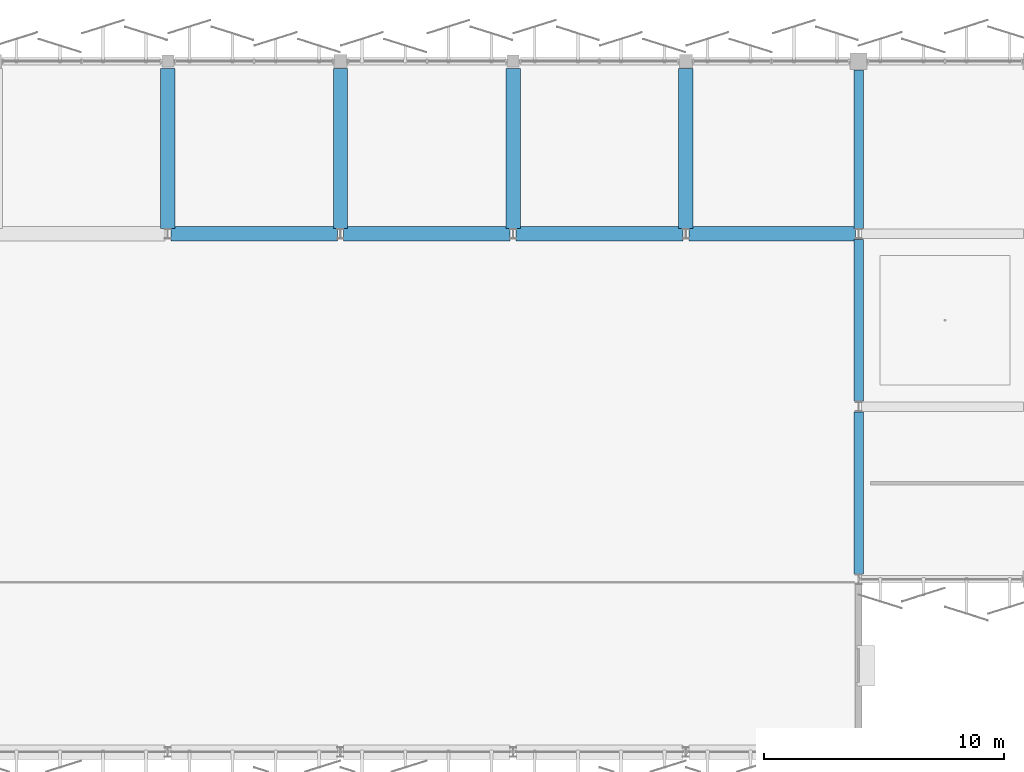
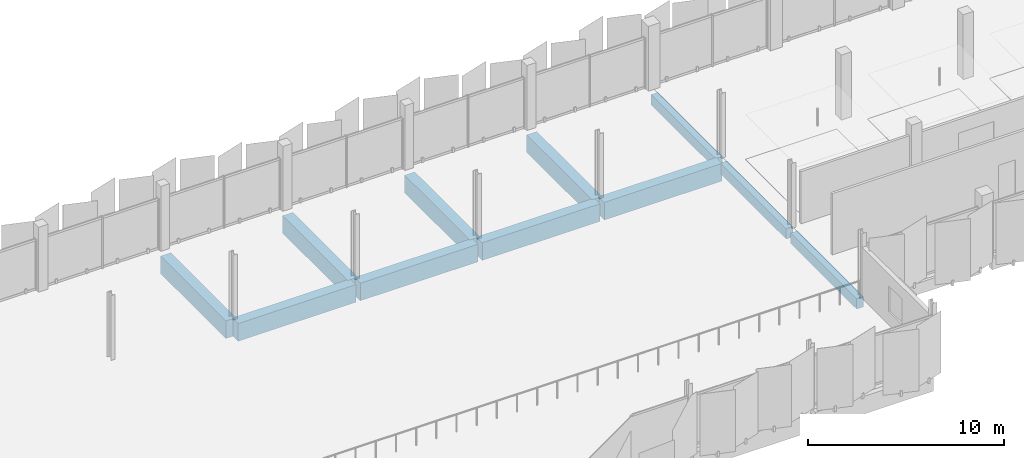
# One storey, part 46 of 107: 11 beams.
"""IFC4 building model written with IfcOpenShell, lengths in metres."""

from ifc_helpers import new_model, si_unit, direction, frame, origin, origin_2d, place, context, subcontext, project, spatial, rectangle, extrude, material, material_profile, profile_set, type_object, element, save


model = new_model("IFC4")

# Units and contexts
model_context = context("Model", 3, precision=1e-05, world=origin(), true_north=direction((0.0, 1.0)))
body_context = subcontext(model_context, "Body", "Model", "MODEL_VIEW")
ifc_project = project(units=[si_unit("LENGTHUNIT", "METRE"), si_unit("AREAUNIT", "SQUARE_METRE"), si_unit("VOLUMEUNIT", "CUBIC_METRE"), si_unit("PLANEANGLEUNIT", "RADIAN"), si_unit("MASSUNIT", "GRAM", prefix="KILO")], contexts=[model_context])

# Site, building, storey
site_placement = place(None, origin())
site = spatial("IfcSite", under=ifc_project, at=site_placement, CompositionType="ELEMENT")
building_placement = place(site_placement, origin())
building = spatial("IfcBuilding", under=site, at=building_placement, Name="Kangsadwip Square Police Headquarters", CompositionType="ELEMENT")
storey_placement = place(building_placement, frame((0.0, 0.0, 5.39990234375)))
storey = spatial("IfcBuildingStorey", under=building, at=storey_placement, Name="L01", CompositionType="ELEMENT", Elevation=5.39990234375)

# Beams
ifc_material_1 = material(Name="Concrete M35 (35 MPa)", Category="concrete")
ifc_material_profile_1 = material_profile(ifc_material_1, rectangle(XDim=0.39990234375, YDim=0.64990234375, at=origin_2d()), Name="RC BM 650X400")
ifc_profile_set_1 = profile_set([ifc_material_profile_1], Name="Concrete M35 (35 MPa)")
beam_type_1 = type_object("IfcBeamType", Name="RcBeam650x400", PredefinedType="BEAM", material=ifc_profile_set_1)
for number, where, z_axis, x_axis, name in (
    (1, (93.60009765625, 93.824951171875, -0.56494140625), (0.0, 1.0, 0.0), (-1.0, 0.0, 0.0), "Beam BM-L01-Y-13-13"),
    (2, (93.60009765625, 101.02490234375, -0.56494140625), (0.0, 1.0, 0.0), (-1.0, 0.0, 0.0), "Beam BM-L01-Y-13-14"),
):
    element("IfcBeam", number, at=place(storey_placement, frame(where, z_axis=z_axis, x_axis=x_axis)), inside=storey, type_object=beam_type_1, Name=name, PredefinedType="BEAM", context=body_context, shape_type="SweptSolid", body=[
        extrude(rectangle(XDim=0.39990234375, YDim=0.64990234375, at=origin_2d()), origin(), (0.0, 0.0, 1.0), 6.75),
    ])
beam_1_placement = place(storey_placement, frame((93.60009765625, 108.22509765625, -0.56494140625), z_axis=(0.0, 1.0, 0.0), x_axis=(-1.0, 0.0, 0.0)))
element("IfcBeam", 3, at=beam_1_placement, inside=storey, type_object=beam_type_1, Name="Beam BM-L01-Y-13-15", PredefinedType="BEAM", context=body_context, shape_type="SweptSolid", body=[
    extrude(rectangle(XDim=0.39990234375, YDim=0.64990234375, at=origin_2d()), origin(), (0.0, 0.0, 1.0), 6.599853515625),
])
ifc_material_2 = material(Name="Concrete M40 (40 MPa)", Category="concrete")
ifc_material_profile_2 = material_profile(ifc_material_2, rectangle(XDim=0.60009765625, YDim=1.10009765625, at=origin_2d()), Name="RC TG 1100X600")
ifc_profile_set_2 = profile_set([ifc_material_profile_2], Name="Concrete M40 (40 MPa)")
beam_type_2 = type_object("IfcBeamType", Name="RcTransfer1100x600", PredefinedType="USERDEFINED", material=ifc_profile_set_2)
for number, where, z_axis, x_axis, name in (
    (4, (64.925048828125, 108.0, -0.789794921875), (1.0, 0.0, 0.0), (0.0, 1.0, 0.0), "Beam BM-L01-X-09-15"),
    (5, (72.125, 108.0, -0.789794921875), (1.0, 0.0, 0.0), (0.0, 1.0, 0.0), "Beam BM-L01-X-10-15"),
    (6, (79.324951171875, 108.0, -0.789794921875), (1.0, 0.0, 0.0), (0.0, 1.0, 0.0), "Beam BM-L01-X-11-15"),
):
    element("IfcBeam", number, at=place(storey_placement, frame(where, z_axis=z_axis, x_axis=x_axis)), inside=storey, type_object=beam_type_2, Name=name, ObjectType="TRANSFER_GIRDER", PredefinedType="USERDEFINED", context=body_context, shape_type="SweptSolid", body=[
        extrude(rectangle(XDim=0.60009765625, YDim=1.10009765625, at=origin_2d()), origin(), (0.0, 0.0, 1.0), 6.949951171875),
    ])
beam_2_placement = place(storey_placement, frame((86.52490234375, 108.0, -0.789794921875), z_axis=(1.0, 0.0, 0.0), x_axis=(0.0, 1.0, 0.0)))
element("IfcBeam", 7, at=beam_2_placement, inside=storey, type_object=beam_type_2, Name="Beam BM-L01-X-12-15", ObjectType="TRANSFER_GIRDER", PredefinedType="USERDEFINED", context=body_context, shape_type="SweptSolid", body=[
    extrude(rectangle(XDim=0.60009765625, YDim=1.10009765625, at=origin_2d()), origin(), (0.0, 0.0, 1.0), 6.9501953125),
])
for number, where, z_axis, x_axis, name in (
    (8, (64.800048828125, 108.22509765625, -0.789794921875), (0.0, 1.0, 0.0), (-1.0, 0.0, 0.0), "Beam BM-L01-Y-09-15"),
    (9, (72.0, 108.22509765625, -0.789794921875), (0.0, 1.0, 0.0), (-1.0, 0.0, 0.0), "Beam BM-L01-Y-10-15"),
    (10, (79.199951171875, 108.22509765625, -0.789794921875), (0.0, 1.0, 0.0), (-1.0, 0.0, 0.0), "Beam BM-L01-Y-11-15"),
    (11, (86.39990234375, 108.22509765625, -0.789794921875), (0.0, 1.0, 0.0), (-1.0, 0.0, 0.0), "Beam BM-L01-Y-12-15"),
):
    element("IfcBeam", number, at=place(storey_placement, frame(where, z_axis=z_axis, x_axis=x_axis)), inside=storey, type_object=beam_type_2, Name=name, ObjectType="TRANSFER_GIRDER", PredefinedType="USERDEFINED", context=body_context, shape_type="SweptSolid", body=[
        extrude(rectangle(XDim=0.60009765625, YDim=1.10009765625, at=origin_2d()), origin(), (0.0, 0.0, 1.0), 6.6748046875),
    ])

save(model, "model.ifc")
